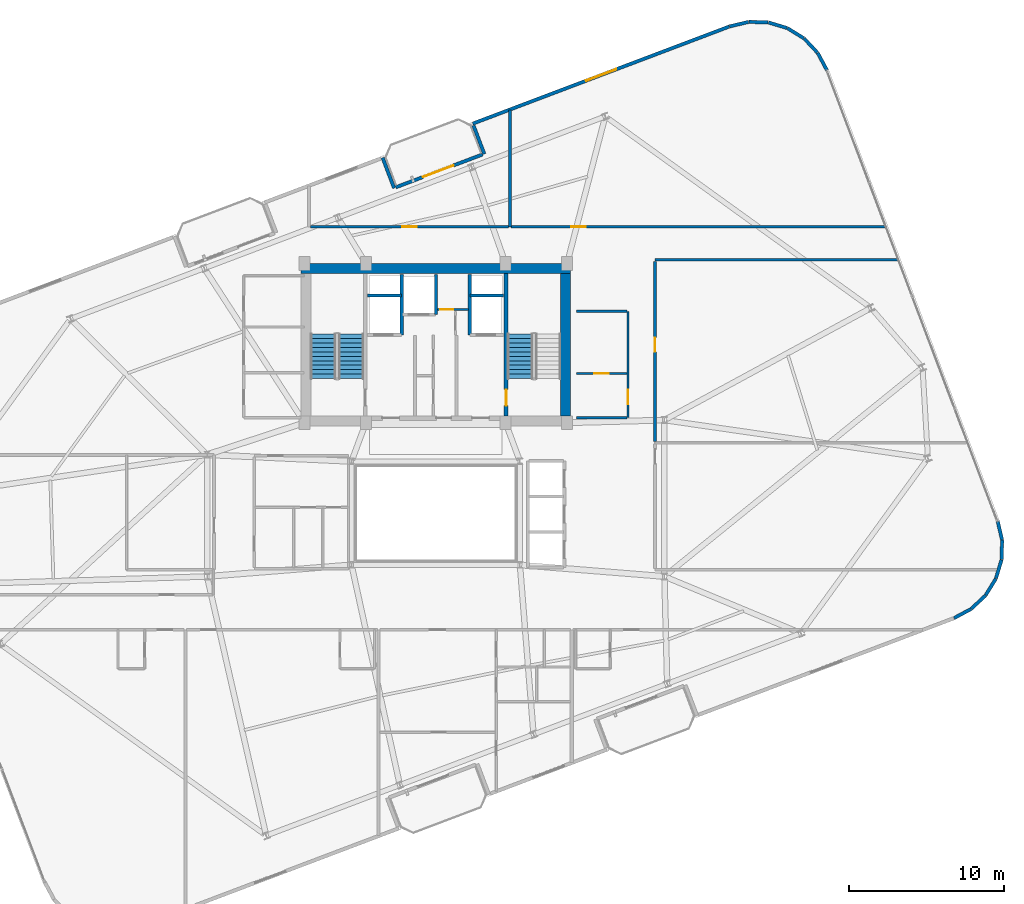
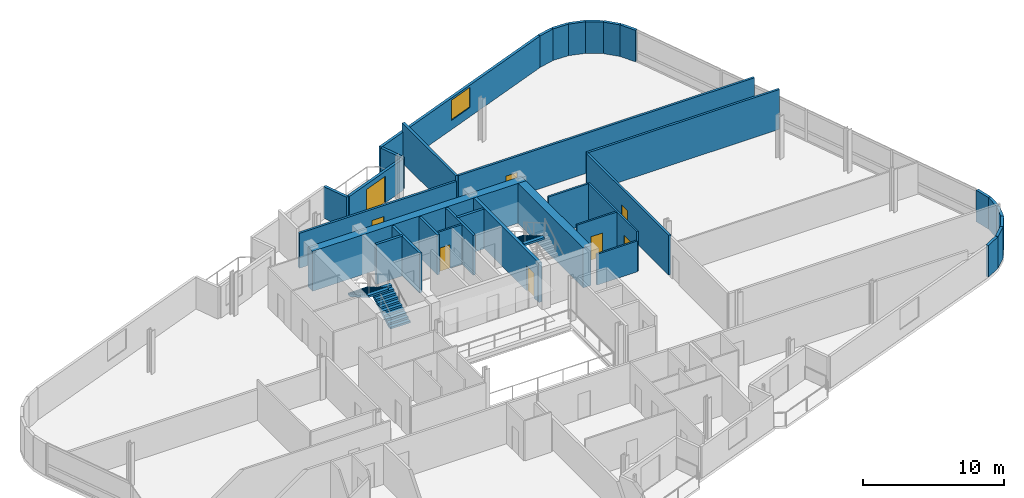
# One storey, part 17 of 20: 34 walls, 8 doors, 3 stair flights, 1 window, 9 openings, 2 elements without a shape of their own.
"""IFC4 building model written with IfcOpenShell, lengths in metres."""

import ifcopenshell
import ifcopenshell.guid

model = None  # the IFC model being written
_history = None  # IfcOwnerHistory: only IFC2X3 demands one
_inside = {}  # id of a spatial element -> (the spatial element, [elements in it])
_under = {}  # id of a project, library or spatial element -> (it, [spatial elements below it])
_declared = {}  # id of a project -> (the project, [libraries it declares])
_typed = {}  # id of a type object -> (the type object, [elements of that type])
_made_of = {}  # id of a material, layer set ... -> (it, [elements and type objects made of it])


def new_model(schema):
    """Start an empty IFC model of exactly this schema.

    Asked for "IFC4X3", IfcOpenShell would pick the latest addendum, in which some entities
    have other attributes; the version numbers below select the first issue.
    IFC2X3 requires an IfcOwnerHistory on every rooted entity: one is made here for all.
    """
    global model, _history
    if schema == "IFC4X3":
        model = ifcopenshell.file(schema_version=(4, 3, 0, 0))
    else:
        model = ifcopenshell.file(schema=schema)
    _inside.clear()
    _under.clear()
    _declared.clear()
    _typed.clear()
    _made_of.clear()
    _history = None
    if model.schema == "IFC2X3":
        org = make("IfcOrganization", Name="unknown")
        user = make(
            "IfcPersonAndOrganization",
            ThePerson=make("IfcPerson", FamilyName="unknown"),
            TheOrganization=org,
        )
        app = make(
            "IfcApplication",
            ApplicationDeveloper=org,
            Version="unknown",
            ApplicationFullName="unknown",
            ApplicationIdentifier="unknown",
        )
        _history = make(
            "IfcOwnerHistory",
            OwningUser=user,
            OwningApplication=app,
            ChangeAction="ADDED",
            CreationDate=0,
        )
    return model


def make(cls, **values):
    """One entity of the class cls with the attributes given. An attribute that is None is left unset."""
    return model.create_entity(
        cls, **{name: value for name, value in values.items() if value is not None}
    )


def rooted(cls, **values):
    """An entity with a GlobalId (a new one), such as an element, a storey or a relation."""
    return make(cls, GlobalId=ifcopenshell.guid.new(), OwnerHistory=_history, **values)


def si_unit(unit_type, name, prefix=None):
    """IfcSIUnit, for example si_unit("LENGTHUNIT", "METRE", prefix="MILLI")."""
    return make("IfcSIUnit", UnitType=unit_type, Prefix=prefix, Name=name)


def assignment(units):
    """IfcUnitAssignment: the units of a project."""
    return None if units is None else make("IfcUnitAssignment", Units=units)


def point(xyz):
    """IfcCartesianPoint."""
    return None if xyz is None else make("IfcCartesianPoint", Coordinates=xyz)


def direction(xyz):
    """IfcDirection."""
    return None if xyz is None else make("IfcDirection", DirectionRatios=xyz)


def frame(location, z_axis=None, x_axis=None):
    """IfcAxis2Placement3D, a coordinate frame: its origin and axes. An axis left out is left unset."""
    return make(
        "IfcAxis2Placement3D",
        Location=point(location),
        Axis=direction(z_axis),
        RefDirection=direction(x_axis),
    )


def frame_2d(location, x_axis=None):
    """IfcAxis2Placement2D, a coordinate frame in the plane: its origin and x axis."""
    return make(
        "IfcAxis2Placement2D", Location=point(location), RefDirection=direction(x_axis)
    )


def origin():
    """The frame at (0, 0, 0) with its axes left unset."""
    return frame((0.0, 0.0, 0.0))


def place(relative_to, where):
    """IfcLocalPlacement: puts the frame where relative to a parent placement (None: the world)."""
    return make(
        "IfcLocalPlacement", PlacementRelTo=relative_to, RelativePlacement=where
    )


def context(
    kind, dimensions, precision=None, world=None, true_north=None, identifier=None
):
    """IfcGeometricRepresentationContext, for example the 3D "Model" context."""
    return make(
        "IfcGeometricRepresentationContext",
        ContextIdentifier=identifier,
        ContextType=kind,
        CoordinateSpaceDimension=dimensions,
        Precision=precision,
        WorldCoordinateSystem=world,
        TrueNorth=true_north,
    )


def subcontext(parent, identifier, kind, view, scale=None):
    """IfcGeometricRepresentationSubContext, for example "Body" below "Model"."""
    return make(
        "IfcGeometricRepresentationSubContext",
        ContextIdentifier=identifier,
        ContextType=kind,
        ParentContext=parent,
        TargetScale=scale,
        TargetView=view,
    )


def project(units=None, contexts=None):
    """IfcProject with its units and contexts."""
    return rooted(
        "IfcProject",
        Name="project",
        RepresentationContexts=contexts,
        UnitsInContext=assignment(units),
    )


def spatial(cls, under=None, at=None, **own):
    """A site, building, storey or space (cls), placed at a placement, below another one or the project."""
    s = rooted(cls, ObjectPlacement=at, **own)
    if under is not None:
        _under.setdefault(under.id(), (under, []))[1].append(s)
    return s


def polyline(points):
    """IfcPolyline through the points."""
    return make("IfcPolyline", Points=[point(p) for p in points])


def profile(cls, at=None, kind="AREA", **sizes):
    """A parametric profile (cls). Its sizes go by their IFC names, for example OverallWidth=200.0."""
    return make(cls, ProfileType=kind, Position=at, **sizes)


def rectangle(**sizes):
    """IfcRectangleProfileDef."""
    return profile("IfcRectangleProfileDef", **sizes)


def outline(outer, holes=None, kind="AREA"):
    """IfcArbitraryClosedProfileDef: a profile drawn as a closed curve; with holes, ...WithVoids."""
    if holes is None:
        return make("IfcArbitraryClosedProfileDef", ProfileType=kind, OuterCurve=outer)
    return make(
        "IfcArbitraryProfileDefWithVoids",
        ProfileType=kind,
        OuterCurve=outer,
        InnerCurves=holes,
    )


def extrude(swept, where, along, depth):
    """IfcExtrudedAreaSolid: the profile swept, set in the frame where, extruded along a direction by depth."""
    return make(
        "IfcExtrudedAreaSolid",
        SweptArea=swept,
        Position=where,
        ExtrudedDirection=direction(along),
        Depth=depth,
    )


def shape(context_of_items, identifier, shape_type, items):
    """IfcShapeRepresentation: the items that make up one representation, for example the "Body"."""
    return make(
        "IfcShapeRepresentation",
        ContextOfItems=context_of_items,
        RepresentationIdentifier=identifier,
        RepresentationType=shape_type,
        Items=items,
    )


def material(Name=None, Category=None):
    """IfcMaterial."""
    return make("IfcMaterial", Name=Name, Category=Category)


def layer(
    of_material, thickness, ventilated=None, Name=None, Category=None, Priority=None
):
    """IfcMaterialLayer: one layer of a wall or slab, of a material (None: an air gap)."""
    return make(
        "IfcMaterialLayer",
        Material=of_material,
        LayerThickness=thickness,
        IsVentilated=ventilated,
        Name=Name,
        Category=Category,
        Priority=Priority,
    )


def layer_set(layers, Name=None):
    """IfcMaterialLayerSet."""
    return make("IfcMaterialLayerSet", MaterialLayers=layers, LayerSetName=Name)


def made_of(thing, what):
    """Note that an element or type object is made of a material, layer set ...; save() writes the relation."""
    if what is not None:
        _made_of.setdefault(what.id(), (what, []))[1].append(thing)
    return thing


def type_object(cls, material=None, **own):
    """A type object (cls), such as IfcWallType, which elements share."""
    return made_of(rooted(cls, **own), material)


def element(
    cls,
    number,
    at=None,
    inside=None,
    cuts=None,
    type_object=None,
    material=None,
    context=None,
    identifier="Body",
    shape_type=None,
    held_by="IfcProductDefinitionShape",
    body=None,
    shapes=None,
    **own,
):
    """One element of the class cls, such as IfcWall. Its Tag is "e" and its number.

    at: its placement. inside: the storey or other place that contains it. cuts: it is an
    opening in that element (IfcRelVoidsElement). A single representation is given by context,
    identifier, shape_type and body (its items); several are given by shapes. held_by: the class
    of the entity that holds the representations. save() writes the other relations.
    """
    e = rooted(cls, Tag="e%d" % number, ObjectPlacement=at, **own)
    if body is not None:
        shapes = [shape(context, identifier, shape_type, body)]
    if shapes is not None:
        e.Representation = make(held_by, Representations=shapes)
    if inside is not None:
        _inside.setdefault(inside.id(), (inside, []))[1].append(e)
    if cuts is not None:
        rooted(
            "IfcRelVoidsElement", RelatingBuildingElement=cuts, RelatedOpeningElement=e
        )
    if type_object is not None:
        _typed.setdefault(type_object.id(), (type_object, []))[1].append(e)
    return made_of(e, material)


def fill(opening, filler):
    """IfcRelFillsElement: the door or window that sits in an opening."""
    return rooted(
        "IfcRelFillsElement",
        RelatingOpeningElement=opening,
        RelatedBuildingElement=filler,
    )


def aggregate(whole, parts):
    """IfcRelAggregates: a whole, such as a stair, and the parts it consists of."""
    return rooted("IfcRelAggregates", RelatingObject=whole, RelatedObjects=parts)


def save(model, path):
    """Write the relations noted so far, then the file.

    IfcRelAggregates (storeys below a building ...), IfcRelContainedInSpatialStructure (elements
    in a storey), IfcRelDefinesByType, IfcRelAssociatesMaterial and IfcRelDeclares: one each for
    every whole, place, type object, material and project.
    """
    for whole, parts in _under.values():
        aggregate(whole, parts)
    for where, things in _inside.values():
        rooted(
            "IfcRelContainedInSpatialStructure",
            RelatedElements=things,
            RelatingStructure=where,
        )
    for kind, things in _typed.values():
        rooted("IfcRelDefinesByType", RelatedObjects=things, RelatingType=kind)
    for what, things in _made_of.values():
        rooted("IfcRelAssociatesMaterial", RelatedObjects=things, RelatingMaterial=what)
    for by, libraries in _declared.values():
        rooted("IfcRelDeclares", RelatingContext=by, RelatedDefinitions=libraries)
    model.write(path)


model = new_model("IFC4")

# Units and contexts
model_context = context("Model", 3, precision=1e-05, world=origin(), true_north=direction((0.0, 1.0)))
body_context = subcontext(model_context, "Body", "Model", "MODEL_VIEW")
ifc_project = project(units=[si_unit("LENGTHUNIT", "METRE"), si_unit("AREAUNIT", "SQUARE_METRE"), si_unit("VOLUMEUNIT", "CUBIC_METRE"), si_unit("PLANEANGLEUNIT", "RADIAN"), si_unit("MASSUNIT", "GRAM", prefix="KILO")], contexts=[model_context])

# Site, building, storey
site_placement = place(None, origin())
site = spatial("IfcSite", under=ifc_project, at=site_placement, CompositionType="ELEMENT")
building_placement = place(site_placement, origin())
building = spatial("IfcBuilding", under=site, at=building_placement, Name="Varnelok Gate Tower", CompositionType="ELEMENT")
storey_placement = place(building_placement, frame((0.0, 0.0, 223.800048828125)))
storey = spatial("IfcBuildingStorey", under=building, at=storey_placement, Name="L57", CompositionType="ELEMENT", Elevation=223.800048828125)

# Wall, opening, door
ifc_material_1 = material(Name="Concrete C45/55", Category="concrete")
ifc_layer_1 = layer(ifc_material_1, 0.219970703125)
ifc_layer_set_1 = layer_set([ifc_layer_1], Name="Concrete C45/55")
wall_type_1 = type_object("IfcWallType", Name="EW-BALC-220", PredefinedType="SOLIDWALL", material=ifc_layer_set_1)
wall_1_placement = place(storey_placement, frame((36.61669921875, 43.98583984375, 0.0), z_axis=(0.0, 0.0, 1.0), x_axis=(0.935227640088, 0.354046976001, 0.0)))
wall_1 = element("IfcWall", 1, at=wall_1_placement, inside=storey, type_object=wall_type_1, Name="L57 North Terrace Envelope Wall 4", PredefinedType="SOLIDWALL", context=body_context, shape_type="SweptSolid", body=[
    extrude(rectangle(XDim=6.0, YDim=0.219970703125, at=frame_2d((3.0, 0.0))), origin(), (0.0, 0.0, 1.0), 2.72998046875),
])
opening_1_placement = place(wall_1_placement, frame((1.887939453125, 0.0, 0.0)))
opening_1 = element("IfcOpeningElement", 2, at=opening_1_placement, cuts=wall_1, Name="Opening BD-2", PredefinedType="OPENING", context=body_context, shape_type="SweptSolid", body=[
    extrude(rectangle(XDim=2.10009765625, YDim=2.300048828125, at=frame_2d((1.050048828125, 1.14990234375))), frame((0.0, 0.119873046875, 0.0), z_axis=(0.0, -1.0, 0.0), x_axis=(1.0, 0.0, 0.0)), (0.0, 0.0, 1.0), 0.239990234375),
])
ifc_material_2 = material(Name="Anodized Aluminum Alloy 6063-T6", Category="aluminium")
door_type_1 = type_object("IfcDoorType", Name="DR-EXT-SLID2100", OperationType="SLIDING_TO_LEFT", PredefinedType="DOOR", material=ifc_material_2)
door_1_placement = place(opening_1_placement, origin())
door_1 = element("IfcDoor", 3, at=door_1_placement, inside=storey, type_object=door_type_1, Name="L57 North Balcony Glazed Door 4", OperationType="SLIDING_TO_LEFT", OverallHeight=2.300048828125, OverallWidth=2.10009765625, PredefinedType="DOOR", context=body_context, shape_type="SweptSolid", body=[
    extrude(rectangle(XDim=2.10009765625, YDim=2.300048828125, at=frame_2d((1.050048828125, 1.14990234375))), frame((0.0, 0.02490234375, 0.0), z_axis=(0.0, -1.0, 0.0), x_axis=(1.0, 0.0, 0.0)), (0.0, 0.0, 1.0), 0.050048828125),
])
fill(opening_1, door_1)

# Walls
wall_2_placement = place(storey_placement, frame((72.74560546875, 16.10498046875, 0.0), z_axis=(0.0, 0.0, 1.0), x_axis=(0.881112879796, 0.472906008693, 0.0)))
element("IfcWall", 4, at=wall_2_placement, inside=storey, type_object=wall_type_1, Name="L57 Perimeter Facade Closure Wall 14", PredefinedType="SOLIDWALL", context=body_context, shape_type="SweptSolid", body=[
    extrude(rectangle(XDim=1.256591796875, YDim=0.219970703125, at=frame_2d((0.62841796875, 0.0))), origin(), (0.0, 0.0, 1.0), 2.72998046875),
])
wall_3_placement = place(storey_placement, frame((73.870849609375, 16.716552734375, 0.0), z_axis=(0.0, 0.0, 1.0), x_axis=(0.728475443486, 0.685071914647, 0.0)))
element("IfcWall", 5, at=wall_3_placement, inside=storey, type_object=wall_type_1, Name="L57 Perimeter Facade Closure Wall 15", PredefinedType="SOLIDWALL", context=body_context, shape_type="SweptSolid", body=[
    extrude(rectangle(XDim=1.248779296875, YDim=0.219970703125, at=frame_2d((0.62451171875, 0.0))), origin(), (0.0, 0.0, 1.0), 2.72998046875),
])
for number, where, z_axis, x_axis, name in (
    (6, (74.793701171875, 17.59326171875, 0.0), (0.0, 0.0, 1.0), (0.526549805576, 0.850144283194, 0.0), "L57 Perimeter Facade Closure Wall 16"),
    (7, (75.458251953125, 18.6787109375, 0.0), (0.0, 0.0, 1.0), (0.288406081086, 0.957508189204, 0.0), "L57 Perimeter Facade Closure Wall 17"),
):
    element("IfcWall", number, at=place(storey_placement, frame(where, z_axis=z_axis, x_axis=x_axis)), inside=storey, type_object=wall_type_1, Name=name, PredefinedType="SOLIDWALL", context=body_context, shape_type="SweptSolid", body=[
        extrude(rectangle(XDim=1.24853515625, YDim=0.219970703125, at=frame_2d((0.624267578125, 0.0))), origin(), (0.0, 0.0, 1.0), 2.72998046875),
    ])
wall_4_placement = place(storey_placement, frame((75.819091796875, 19.8994140625, 0.0), z_axis=(0.0, 0.0, 1.0), x_axis=(0.030898954628, 0.999522513305, 0.0)))
element("IfcWall", 8, at=wall_4_placement, inside=storey, type_object=wall_type_1, Name="L57 Perimeter Facade Closure Wall 18", PredefinedType="SOLIDWALL", context=body_context, shape_type="SweptSolid", body=[
    extrude(rectangle(XDim=1.248291015625, YDim=0.219970703125, at=frame_2d((0.6240234375, 0.0))), origin(), (0.0, 0.0, 1.0), 2.72998046875),
])
wall_5_placement = place(storey_placement, frame((75.851806640625, 21.171630859375, 0.0), z_axis=(0.0, 0.0, 1.0), x_axis=(-0.228941257463, 0.973440239887, 0.0)))
element("IfcWall", 9, at=wall_5_placement, inside=storey, type_object=wall_type_1, Name="L57 Perimeter Facade Closure Wall 19", PredefinedType="SOLIDWALL", context=body_context, shape_type="SweptSolid", body=[
    extrude(rectangle(XDim=1.248779296875, YDim=0.219970703125, at=frame_2d((0.62451171875, 0.0))), origin(), (0.0, 0.0, 1.0), 2.72998046875),
])
wall_6_placement = place(storey_placement, frame((64.519287109375, 51.566162109375, 0.0), z_axis=(0.0, 0.0, 1.0), x_axis=(-0.473093575122, 0.881012184466, 0.0)))
element("IfcWall", 10, at=wall_6_placement, inside=storey, type_object=wall_type_1, Name="L57 Perimeter Facade Closure Wall 20", PredefinedType="SOLIDWALL", context=body_context, shape_type="SweptSolid", body=[
    extrude(rectangle(XDim=1.273681640625, YDim=0.219970703125, at=frame_2d((0.63671875, 0.0))), origin(), (0.0, 0.0, 1.0), 2.72998046875),
])
for number, where, z_axis, x_axis, name in (
    (11, (63.8994140625, 52.706298828125, 0.0), (0.0, 0.0, 1.0), (-0.684870565369, 0.728664743686, 0.0), "L57 Perimeter Facade Closure Wall 21"),
    (12, (63.02294921875, 53.629150390625, 0.0), (0.0, 0.0, 1.0), (-0.850198480006, 0.526462291712, 0.0), "L57 Perimeter Facade Closure Wall 22"),
):
    element("IfcWall", number, at=place(storey_placement, frame(where, z_axis=z_axis, x_axis=x_axis)), inside=storey, type_object=wall_type_1, Name=name, PredefinedType="SOLIDWALL", context=body_context, shape_type="SweptSolid", body=[
        extrude(rectangle(XDim=1.248779296875, YDim=0.219970703125, at=frame_2d((0.62451171875, 0.0))), origin(), (0.0, 0.0, 1.0), 2.72998046875),
    ])
for number, where, z_axis, x_axis, name in (
    (13, (61.937255859375, 54.293701171875, 0.0), (0.0, 0.0, 1.0), (-0.957508189204, 0.288406081086, 0.0), "L57 Perimeter Facade Closure Wall 23"),
    (14, (60.716796875, 54.65478515625, 0.0), (0.0, 0.0, 1.0), (-0.999528718359, 0.030697576053, 0.0), "L57 Perimeter Facade Closure Wall 24"),
):
    element("IfcWall", number, at=place(storey_placement, frame(where, z_axis=z_axis, x_axis=x_axis)), inside=storey, type_object=wall_type_1, Name=name, PredefinedType="SOLIDWALL", context=body_context, shape_type="SweptSolid", body=[
        extrude(rectangle(XDim=1.24853515625, YDim=0.219970703125, at=frame_2d((0.624267578125, 0.0))), origin(), (0.0, 0.0, 1.0), 2.72998046875),
    ])
wall_7_placement = place(storey_placement, frame((59.4443359375, 54.6875, 0.0), z_axis=(0.0, 0.0, 1.0), x_axis=(-0.973409523464, -0.229071821989, 0.0)))
element("IfcWall", 15, at=wall_7_placement, inside=storey, type_object=wall_type_1, Name="L57 Perimeter Facade Closure Wall 25", PredefinedType="SOLIDWALL", context=body_context, shape_type="SweptSolid", body=[
    extrude(rectangle(XDim=1.256591796875, YDim=0.219970703125, at=frame_2d((0.62841796875, 0.0))), origin(), (0.0, 0.0, 1.0), 2.72998046875),
])

# Wall, opening, window
wall_8_placement = place(storey_placement, frame((58.19775390625, 54.390869140625, 0.0), z_axis=(0.0, 0.0, 1.0), x_axis=(-0.935223849772, -0.354056988094, 0.0)))
wall_8 = element("IfcWall", 16, at=wall_8_placement, inside=storey, type_object=wall_type_1, Name="L57 Perimeter Facade Closure Wall 26", PredefinedType="SOLIDWALL", context=body_context, shape_type="SweptSolid", body=[
    extrude(rectangle(XDim=17.7470703125, YDim=0.219970703125, at=frame_2d((8.87353515625, 0.0))), origin(), (0.0, 0.0, 1.0), 2.72998046875),
])
opening_2_placement = place(wall_8_placement, frame((7.823486328125, 0.0, 0.800048828125)))
opening_2 = element("IfcOpeningElement", 17, at=opening_2_placement, cuts=wall_8, Name="Opening WN4", PredefinedType="OPENING", context=body_context, shape_type="SweptSolid", body=[
    extrude(rectangle(XDim=2.10009765625, YDim=1.75, at=frame_2d((1.050048828125, 0.875))), frame((0.0, 0.119873046875, 0.0), z_axis=(0.0, -1.0, 0.0), x_axis=(1.0, 0.0, 0.0)), (0.0, 0.0, 1.0), 0.239990234375),
])
ifc_material_3 = material(Name="Low-E Laminated Double Glazing IGU", Category="glass")
window_type = type_object("IfcWindowType", Name="WN-SUI-2100", PartitioningType="SINGLE_PANEL", PredefinedType="WINDOW", material=ifc_material_3)
window_placement = place(opening_2_placement, origin())
window = element("IfcWindow", 18, at=window_placement, inside=storey, type_object=window_type, Name="L57 Perimeter Vision Window 26", OverallHeight=1.75, OverallWidth=2.10009765625, PartitioningType="SINGLE_PANEL", PredefinedType="WINDOW", context=body_context, shape_type="SweptSolid", body=[
    extrude(rectangle(XDim=2.10009765625, YDim=1.75, at=frame_2d((1.050048828125, 0.875))), frame((0.0, 0.030029296875, 0.0), z_axis=(0.0, -1.0, 0.0), x_axis=(1.0, 0.0, 0.0)), (0.0, 0.0, 1.0), 0.06005859375),
])
fill(opening_2, window)

# Walls
wall_9_placement = place(storey_placement, frame((41.64453125, 47.990478515625, 0.0), z_axis=(0.0, 0.0, 1.0), x_axis=(0.354020680661, -0.935237594232, 0.0)))
element("IfcWall", 19, at=wall_9_placement, inside=storey, type_object=wall_type_1, Name="L57 Perimeter Facade Closure Wall 27", PredefinedType="SOLIDWALL", context=body_context, shape_type="SweptSolid", body=[
    extrude(rectangle(XDim=1.97509765625, YDim=0.219970703125, at=frame_2d((0.987548828125, 0.0))), origin(), (0.0, 0.0, 1.0), 2.72998046875),
])
wall_10_placement = place(storey_placement, frame((36.508056640625, 43.93408203125, 0.0), z_axis=(0.0, 0.0, 1.0), x_axis=(-0.354128469405, 0.935196785258, 0.0)))
element("IfcWall", 20, at=wall_10_placement, inside=storey, type_object=wall_type_1, Name="L57 Perimeter Facade Closure Wall 28", PredefinedType="SOLIDWALL", context=body_context, shape_type="SweptSolid", body=[
    extrude(rectangle(XDim=2.099853515625, YDim=0.219970703125, at=frame_2d((1.0498046875, 0.0))), origin(), (0.0, 0.0, 1.0), 2.72998046875),
])

# Wall, opening, door
ifc_material_4 = material(Name="Gypsum Plasterboard Acoustic Partition", Category="gypsum")
ifc_layer_2 = layer(ifc_material_4, 0.179931640625)
ifc_layer_set_2 = layer_set([ifc_layer_2], Name="Gypsum Plasterboard Acoustic Partition")
wall_type_2 = type_object("IfcWallType", Name="PW-CORR-180", PredefinedType="PARTITIONING", material=ifc_layer_set_2)
wall_11_placement = place(storey_placement, frame((31.080078125, 41.429931640625, 0.0), z_axis=(0.0, 0.0, 1.0), x_axis=(1.0, 0.0, 0.0)))
wall_11 = element("IfcWall", 21, at=wall_11_placement, inside=storey, type_object=wall_type_2, Name="Interior Partition", PredefinedType="PARTITIONING", context=body_context, shape_type="SweptSolid", body=[
    extrude(rectangle(XDim=12.83984375, YDim=0.179931640625, at=frame_2d((6.419921875, 0.0))), origin(), (0.0, 0.0, 1.0), 3.01806640625),
])
opening_3_placement = place(wall_11_placement, frame((5.945068359375, 0.0, 0.0)))
opening_3 = element("IfcOpeningElement", 22, at=opening_3_placement, cuts=wall_11, Name="Opening D-I2", PredefinedType="OPENING", context=body_context, shape_type="SweptSolid", body=[
    extrude(rectangle(XDim=0.949951171875, YDim=2.050048828125, at=frame_2d((0.47509765625, 1.02490234375))), frame((0.0, 0.099853515625, 0.0), z_axis=(0.0, -1.0, 0.0), x_axis=(1.0, 0.0, 0.0)), (0.0, 0.0, 1.0), 0.199951171875),
])
ifc_material_5 = material(Name="Engineered Hardwood Timber", Category="wood")
door_type_2 = type_object("IfcDoorType", Name="DR-INT-950", OperationType="NOTDEFINED", PredefinedType="DOOR", material=ifc_material_5)
door_2_placement = place(opening_3_placement, origin())
door_2 = element("IfcDoor", 23, at=door_2_placement, inside=storey, type_object=door_type_2, Name="L57 Executive Business Office 2 Door", OperationType="SINGLE_SWING_LEFT", OverallHeight=2.050048828125, OverallWidth=0.949951171875, PredefinedType="DOOR", context=body_context, shape_type="SweptSolid", body=[
    extrude(rectangle(XDim=0.949951171875, YDim=2.050048828125, at=frame_2d((0.47509765625, 1.02490234375))), frame((0.0, 0.02490234375, 0.0), z_axis=(0.0, -1.0, 0.0), x_axis=(1.0, 0.0, 0.0)), (0.0, 0.0, 1.0), 0.050048828125),
])
fill(opening_3, door_2)

wall_12_placement = place(storey_placement, frame((44.080078125, 41.429931640625, 0.0), z_axis=(0.0, 0.0, 1.0), x_axis=(1.0, 0.0, 0.0)))
wall_12 = element("IfcWall", 24, at=wall_12_placement, inside=storey, type_object=wall_type_2, Name="Interior Partition", PredefinedType="PARTITIONING", context=body_context, shape_type="SweptSolid", body=[
    extrude(rectangle(XDim=24.21630859375, YDim=0.179931640625, at=frame_2d((12.108154296875, 0.0))), origin(), (0.0, 0.0, 1.0), 3.449951171875),
])
opening_4_placement = place(wall_12_placement, frame((3.89501953125, 0.0, 0.0)))
opening_4 = element("IfcOpeningElement", 25, at=opening_4_placement, cuts=wall_12, Name="Opening D-I2", PredefinedType="OPENING", context=body_context, shape_type="SweptSolid", body=[
    extrude(rectangle(XDim=0.949951171875, YDim=2.050048828125, at=frame_2d((0.47509765625, 1.02490234375))), frame((0.0, 0.099853515625, 0.0), z_axis=(0.0, -1.0, 0.0), x_axis=(1.0, 0.0, 0.0)), (0.0, 0.0, 1.0), 0.199951171875),
])
door_3_placement = place(opening_4_placement, origin())
door_3 = element("IfcDoor", 26, at=door_3_placement, inside=storey, type_object=door_type_2, Name="L57 Hotel Business Center Door", OperationType="SINGLE_SWING_LEFT", OverallHeight=2.050048828125, OverallWidth=0.949951171875, PredefinedType="DOOR", context=body_context, shape_type="SweptSolid", body=[
    extrude(rectangle(XDim=0.949951171875, YDim=2.050048828125, at=frame_2d((0.47509765625, 1.02490234375))), frame((0.0, 0.02490234375, 0.0), z_axis=(0.0, -1.0, 0.0), x_axis=(1.0, 0.0, 0.0)), (0.0, 0.0, 1.0), 0.050048828125),
])
fill(opening_4, door_3)

wall_13_placement = place(storey_placement, frame((53.389892578125, 27.530029296875, 0.0), z_axis=(0.0, 0.0, 1.0), x_axis=(0.0, 1.0, 0.0)))
wall_13 = element("IfcWall", 27, at=wall_13_placement, inside=storey, type_object=wall_type_2, Name="Interior Partition", PredefinedType="PARTITIONING", context=body_context, shape_type="SweptSolid", body=[
    extrude(rectangle(XDim=11.669921875, YDim=0.179931640625, at=frame_2d((5.8349609375, 0.0))), origin(), (0.0, 0.0, 1.0), 3.449951171875),
])
opening_5_placement = place(wall_13_placement, frame((5.800048828125, 0.0, 0.0)))
opening_5 = element("IfcOpeningElement", 28, at=opening_5_placement, cuts=wall_13, Name="Opening D-I3", PredefinedType="OPENING", context=body_context, shape_type="SweptSolid", body=[
    extrude(rectangle(XDim=0.919921875, YDim=2.050048828125, at=frame_2d((0.4599609375, 1.02490234375))), frame((0.0, 0.099853515625, 0.0), z_axis=(0.0, -1.0, 0.0), x_axis=(1.0, 0.0, 0.0)), (0.0, 0.0, 1.0), 0.199951171875),
])
door_type_3 = type_object("IfcDoorType", Name="DR-INT-920", OperationType="NOTDEFINED", PredefinedType="DOOR", material=ifc_material_5)
door_4_placement = place(opening_5_placement, origin())
door_4 = element("IfcDoor", 29, at=door_4_placement, inside=storey, type_object=door_type_3, Name="L57 East Suite 2 Door", OperationType="SINGLE_SWING_RIGHT", OverallHeight=2.050048828125, OverallWidth=0.919921875, PredefinedType="DOOR", context=body_context, shape_type="SweptSolid", body=[
    extrude(rectangle(XDim=0.919921875, YDim=2.050048828125, at=frame_2d((0.4599609375, 1.02490234375))), frame((0.0, 0.02490234375, 0.0), z_axis=(0.0, -1.0, 0.0), x_axis=(1.0, 0.0, 0.0)), (0.0, 0.0, 1.0), 0.050048828125),
])
fill(opening_5, door_4)

# Wall
wall_14_placement = place(storey_placement, frame((53.389892578125, 39.300048828125, 0.0), z_axis=(0.0, 0.0, 1.0), x_axis=(1.0, 0.0, 0.0)))
element("IfcWall", 30, at=wall_14_placement, inside=storey, type_object=wall_type_2, Name="Interior Partition", PredefinedType="PARTITIONING", context=body_context, shape_type="SweptSolid", body=[
    extrude(rectangle(XDim=15.712890625, YDim=0.179931640625, at=frame_2d((7.8564453125, 0.0))), origin(), (0.0, 0.0, 1.0), 3.449951171875),
])

# Wall, opening, door
ifc_layer_3 = layer(ifc_material_4, 0.14990234375)
ifc_layer_set_3 = layer_set([ifc_layer_3], Name="Gypsum Plasterboard Acoustic Partition")
wall_type_3 = type_object("IfcWallType", Name="PW-PART-150", PredefinedType="PARTITIONING", material=ifc_layer_set_3)
wall_15_placement = place(storey_placement, frame((39.300048828125, 36.080078125, 0.0), z_axis=(0.0, 0.0, 1.0), x_axis=(1.0, 0.0, 0.0)))
wall_15 = element("IfcWall", 31, at=wall_15_placement, inside=storey, type_object=wall_type_3, Name="L57 Electrical Closet South Wall", PredefinedType="PARTITIONING", context=body_context, shape_type="SweptSolid", body=[
    extrude(rectangle(XDim=2.02001953125, YDim=0.14990234375, at=frame_2d((1.010009765625, 0.0))), origin(), (0.0, 0.0, 1.0), 3.449951171875),
])
opening_6_placement = place(wall_15_placement, frame((0.179931640625, 0.0, 0.0)))
opening_6 = element("IfcOpeningElement", 32, at=opening_6_placement, cuts=wall_15, Name="Opening D-RS", PredefinedType="OPENING", context=body_context, shape_type="SweptSolid", body=[
    extrude(rectangle(XDim=0.85009765625, YDim=2.050048828125, at=frame_2d((0.425048828125, 1.02490234375))), frame((0.0, 0.0849609375, 0.0), z_axis=(0.0, -1.0, 0.0), x_axis=(1.0, 0.0, 0.0)), (0.0, 0.0, 1.0), 0.169921875),
])
ifc_material_6 = material(Name="Galvanized Steel Grade S350GD", Category="steel")
door_type_4 = type_object("IfcDoorType", Name="DR-RISER-850", OperationType="NOTDEFINED", PredefinedType="DOOR", material=ifc_material_6)
door_5_placement = place(opening_6_placement, origin())
door_5 = element("IfcDoor", 33, at=door_5_placement, inside=storey, type_object=door_type_4, Name="L57 Electrical Closet Door", OperationType="SINGLE_SWING_RIGHT", OverallHeight=2.050048828125, OverallWidth=0.85009765625, PredefinedType="DOOR", context=body_context, shape_type="SweptSolid", body=[
    extrude(rectangle(XDim=0.85009765625, YDim=2.050048828125, at=frame_2d((0.425048828125, 1.02490234375))), frame((0.0, 0.02490234375, 0.0), z_axis=(0.0, -1.0, 0.0), x_axis=(1.0, 0.0, 0.0)), (0.0, 0.0, 1.0), 0.050048828125),
])
fill(opening_6, door_5)

wall_16_placement = place(storey_placement, frame((48.300048828125, 31.929931640625, 0.0), z_axis=(0.0, 0.0, 1.0), x_axis=(1.0, 0.0, 0.0)))
wall_16 = element("IfcWall", 34, at=wall_16_placement, inside=storey, type_object=wall_type_3, Name="Interior Partition", PredefinedType="PARTITIONING", context=body_context, shape_type="SweptSolid", body=[
    extrude(rectangle(XDim=3.280029296875, YDim=0.14990234375, at=frame_2d((1.64013671875, 0.0))), origin(), (0.0, 0.0, 1.0), 3.449951171875),
])
opening_7_placement = place(wall_16_placement, frame((1.14990234375, 0.0, 0.0)))
opening_7 = element("IfcOpeningElement", 35, at=opening_7_placement, cuts=wall_16, Name="Opening D-I2", PredefinedType="OPENING", context=body_context, shape_type="SweptSolid", body=[
    extrude(rectangle(XDim=0.949951171875, YDim=2.050048828125, at=frame_2d((0.47509765625, 1.02490234375))), frame((0.0, 0.0849609375, 0.0), z_axis=(0.0, -1.0, 0.0), x_axis=(1.0, 0.0, 0.0)), (0.0, 0.0, 1.0), 0.169921875),
])
door_6_placement = place(opening_7_placement, origin())
door_6 = element("IfcDoor", 36, at=door_6_placement, inside=storey, type_object=door_type_2, Name="L57 Reclaimed Trunk Storage Door", OperationType="SINGLE_SWING_LEFT", OverallHeight=2.050048828125, OverallWidth=0.949951171875, PredefinedType="DOOR", context=body_context, shape_type="SweptSolid", body=[
    extrude(rectangle(XDim=0.949951171875, YDim=2.050048828125, at=frame_2d((0.47509765625, 1.02490234375))), frame((0.0, 0.02490234375, 0.0), z_axis=(0.0, -1.0, 0.0), x_axis=(1.0, 0.0, 0.0)), (0.0, 0.0, 1.0), 0.050048828125),
])
fill(opening_7, door_6)

# Walls
wall_17_placement = place(storey_placement, frame((48.300048828125, 29.080078125, 0.0), z_axis=(0.0, 0.0, 1.0), x_axis=(1.0, 0.0, 0.0)))
element("IfcWall", 37, at=wall_17_placement, inside=storey, type_object=wall_type_3, Name="Interior Partition", PredefinedType="PARTITIONING", context=body_context, shape_type="SweptSolid", body=[
    extrude(rectangle(XDim=3.280029296875, YDim=0.14990234375, at=frame_2d((1.64013671875, 0.0))), origin(), (0.0, 0.0, 1.0), 2.661865234375),
])
wall_18_placement = place(storey_placement, frame((48.300048828125, 35.9599609375, 0.0), z_axis=(0.0, 0.0, 1.0), x_axis=(1.0, 0.0, 0.0)))
element("IfcWall", 38, at=wall_18_placement, inside=storey, type_object=wall_type_3, Name="Interior Partition", PredefinedType="PARTITIONING", context=body_context, shape_type="SweptSolid", body=[
    extrude(rectangle(XDim=3.280029296875, YDim=0.14990234375, at=frame_2d((1.64013671875, 0.0))), origin(), (0.0, 0.0, 1.0), 3.449951171875),
])

# Wall, opening, door
wall_19_placement = place(storey_placement, frame((51.639892578125, 29.080078125, 0.0), z_axis=(0.0, 0.0, 1.0), x_axis=(0.0, 1.0, 0.0)))
wall_19 = element("IfcWall", 39, at=wall_19_placement, inside=storey, type_object=wall_type_3, Name="Interior Partition", PredefinedType="PARTITIONING", context=body_context, shape_type="SweptSolid", body=[
    extrude(rectangle(XDim=6.8798828125, YDim=0.14990234375, at=frame_2d((3.43994140625, 0.0))), origin(), (0.0, 0.0, 1.0), 3.449951171875),
])
opening_8_placement = place(wall_19_placement, frame((0.85009765625, 0.0, 0.0)))
opening_8 = element("IfcOpeningElement", 40, at=opening_8_placement, cuts=wall_19, Name="Opening D-I2", PredefinedType="OPENING", context=body_context, shape_type="SweptSolid", body=[
    extrude(rectangle(XDim=0.949951171875, YDim=2.050048828125, at=frame_2d((0.47509765625, 1.02490234375))), frame((0.0, 0.0849609375, 0.0), z_axis=(0.0, -1.0, 0.0), x_axis=(1.0, 0.0, 0.0)), (0.0, 0.0, 1.0), 0.169921875),
])
door_7_placement = place(opening_8_placement, origin())
door_7 = element("IfcDoor", 41, at=door_7_placement, inside=storey, type_object=door_type_2, Name="L57 Reclaimed Wine Storage Door", OperationType="SINGLE_SWING_RIGHT", OverallHeight=2.050048828125, OverallWidth=0.949951171875, PredefinedType="DOOR", context=body_context, shape_type="SweptSolid", body=[
    extrude(rectangle(XDim=0.949951171875, YDim=2.050048828125, at=frame_2d((0.47509765625, 1.02490234375))), frame((0.0, 0.02490234375, 0.0), z_axis=(0.0, -1.0, 0.0), x_axis=(1.0, 0.0, 0.0)), (0.0, 0.0, 1.0), 0.050048828125),
])
fill(opening_8, door_7)

# Walls
ifc_layer_4 = layer(ifc_material_4, 0.205078125)
ifc_layer_set_4 = layer_set([ifc_layer_4], Name="Gypsum Plasterboard Acoustic Partition")
wall_type_4 = type_object("IfcWallType", Name="PW-PARTY-200", PredefinedType="PARTITIONING", material=ifc_layer_set_4)
wall_20_placement = place(storey_placement, frame((44.0, 41.429931640625, 0.0), z_axis=(0.0, 0.0, 1.0), x_axis=(0.0, 1.0, 0.0)))
element("IfcWall", 42, at=wall_20_placement, inside=storey, type_object=wall_type_4, Name="L57 North Party Wall 2", PredefinedType="PARTITIONING", context=body_context, shape_type="SweptSolid", body=[
    extrude(rectangle(XDim=7.564453125, YDim=0.205078125, at=frame_2d((3.7822265625, 0.0))), origin(), (0.0, 0.0, 1.0), 3.449951171875),
])
ifc_material_7 = material(Name="Concrete C35/45", Category="concrete")
ifc_layer_5 = layer(ifc_material_7, 0.199951171875)
ifc_layer_set_5 = layer_set([ifc_layer_5], Name="Concrete C35/45")
wall_type_5 = type_object("IfcWallType", Name="PW-SHAFT-200", PredefinedType="PARTITIONING", material=ifc_layer_set_5)
wall_21_placement = place(storey_placement, frame((34.800048828125, 36.97998046875, 0.0), z_axis=(0.0, 0.0, 1.0), x_axis=(1.0, 0.0, 0.0)))
element("IfcWall", 43, at=wall_21_placement, inside=storey, type_object=wall_type_5, Name="L57 FF1 Shaft North Wall", PredefinedType="PARTITIONING", context=body_context, shape_type="SweptSolid", body=[
    extrude(rectangle(XDim=2.179931640625, YDim=0.199951171875, at=frame_2d((1.08984375, 0.0))), origin(), (0.0, 0.0, 1.0), 3.449951171875),
])
wall_22_placement = place(storey_placement, frame((37.0, 34.43994140625, 0.0), z_axis=(0.0, 0.0, 1.0), x_axis=(0.0, 1.0, 0.0)))
element("IfcWall", 44, at=wall_22_placement, inside=storey, type_object=wall_type_5, Name="L57 FF1 Shaft Side Wall", PredefinedType="PARTITIONING", context=body_context, shape_type="SweptSolid", body=[
    extrude(rectangle(XDim=3.900146484375, YDim=0.199951171875, at=frame_2d((1.9501953125, 0.0))), origin(), (0.0, 0.0, 1.0), 3.449951171875),
])
wall_23_placement = place(storey_placement, frame((41.419921875, 36.97998046875, 0.0), z_axis=(0.0, 0.0, 1.0), x_axis=(1.0, 0.0, 0.0)))
element("IfcWall", 45, at=wall_23_placement, inside=storey, type_object=wall_type_5, Name="L57 FF2 Shaft North Wall", PredefinedType="PARTITIONING", context=body_context, shape_type="SweptSolid", body=[
    extrude(rectangle(XDim=2.18017578125, YDim=0.199951171875, at=frame_2d((1.090087890625, 0.0))), origin(), (0.0, 0.0, 1.0), 3.449951171875),
])
wall_24_placement = place(storey_placement, frame((41.39990234375, 34.43994140625, 0.0), z_axis=(0.0, 0.0, 1.0), x_axis=(0.0, 1.0, 0.0)))
element("IfcWall", 46, at=wall_24_placement, inside=storey, type_object=wall_type_5, Name="L57 FF2 Shaft Side Wall", PredefinedType="PARTITIONING", context=body_context, shape_type="SweptSolid", body=[
    extrude(rectangle(XDim=3.900146484375, YDim=0.199951171875, at=frame_2d((1.9501953125, 0.0))), origin(), (0.0, 0.0, 1.0), 3.449951171875),
])
wall_25_placement = place(storey_placement, frame((39.219970703125, 35.75, 0.0), z_axis=(0.0, 0.0, 1.0), x_axis=(0.0, 1.0, 0.0)))
element("IfcWall", 47, at=wall_25_placement, inside=storey, type_object=wall_type_5, Name="L57 SV1 Shaft East Wall", PredefinedType="PARTITIONING", context=body_context, shape_type="SweptSolid", body=[
    extrude(rectangle(XDim=2.590087890625, YDim=0.199951171875, at=frame_2d((1.294921875, 0.0))), origin(), (0.0, 0.0, 1.0), 3.449951171875),
])
ifc_material_8 = material(Name="Concrete C60/75", Category="concrete")
ifc_layer_6 = layer(ifc_material_8, 0.64990234375)
ifc_layer_set_6 = layer_set([ifc_layer_6], Name="Concrete C60/75")
wall_type_6 = type_object("IfcWallType", Name="SW-CORE-650", PredefinedType="SHEAR", material=ifc_layer_set_6)
wall_26_placement = place(storey_placement, frame((30.47998046875, 38.7451171875, 0.0), z_axis=(0.0, 0.0, 1.0), x_axis=(1.0, 0.0, 0.0)))
element("IfcWall", 48, at=wall_26_placement, inside=storey, type_object=wall_type_6, Name="L57 Rear Core North Shear Wall", PredefinedType="SHEAR", context=body_context, shape_type="SweptSolid", body=[
    extrude(rectangle(XDim=17.43994140625, YDim=0.64990234375, at=frame_2d((8.719970703125, 0.0))), origin(), (0.0, 0.0, 1.0), 3.449951171875),
])
wall_27_placement = place(storey_placement, frame((47.594970703125, 29.199951171875, 0.0), z_axis=(0.0, 0.0, 1.0), x_axis=(0.0, 1.0, 0.0)))
element("IfcWall", 49, at=wall_27_placement, inside=storey, type_object=wall_type_6, Name="L57 Rear Core East Shear Wall", PredefinedType="SHEAR", context=body_context, shape_type="SweptSolid", body=[
    extrude(rectangle(XDim=9.219970703125, YDim=0.64990234375, at=frame_2d((4.60986328125, 0.0))), origin(), (0.0, 0.0, 1.0), 3.449951171875),
])

# Wall, opening, door
ifc_layer_7 = layer(ifc_material_8, 0.25)
ifc_layer_set_7 = layer_set([ifc_layer_7], Name="Concrete C60/75")
wall_type_7 = type_object("IfcWallType", Name="SW-SHAFT-250", PredefinedType="SHEAR", material=ifc_layer_set_7)
wall_28_placement = place(storey_placement, frame((43.760009765625, 29.199951171875, 0.0), z_axis=(0.0, 0.0, 1.0), x_axis=(0.0, 1.0, 0.0)))
wall_28 = element("IfcWall", 50, at=wall_28_placement, inside=storey, type_object=wall_type_7, Name="L57 Stair ST-2 West Shear Wall", PredefinedType="SHEAR", context=body_context, shape_type="SweptSolid", body=[
    extrude(rectangle(XDim=9.219970703125, YDim=0.25, at=frame_2d((4.60986328125, 0.0))), origin(), (0.0, 0.0, 1.0), 3.449951171875),
])
opening_9_placement = place(wall_28_placement, frame((0.64990234375, 0.0, 0.0)))
opening_9 = element("IfcOpeningElement", 51, at=opening_9_placement, cuts=wall_28, Name="Opening D-ST", PredefinedType="OPENING", context=body_context, shape_type="SweptSolid", body=[
    extrude(rectangle(XDim=1.050048828125, YDim=2.14990234375, at=frame_2d((0.52490234375, 1.074951171875))), frame((0.0, 0.135009765625, 0.0), z_axis=(0.0, -1.0, 0.0), x_axis=(1.0, 0.0, 0.0)), (0.0, 0.0, 1.0), 0.27001953125),
])
door_type_5 = type_object("IfcDoorType", Name="DR-STAIR-1050", OperationType="NOTDEFINED", PredefinedType="DOOR", material=ifc_material_6)
door_8_placement = place(opening_9_placement, origin())
door_8 = element("IfcDoor", 52, at=door_8_placement, inside=storey, type_object=door_type_5, Name="L57 Exit Stair ST-2 Fire Door", OperationType="SINGLE_SWING_RIGHT", OverallHeight=2.14990234375, OverallWidth=1.050048828125, PredefinedType="DOOR", context=body_context, shape_type="SweptSolid", body=[
    extrude(rectangle(XDim=1.050048828125, YDim=2.14990234375, at=frame_2d((0.52490234375, 1.074951171875))), frame((0.0, 0.02490234375, 0.0), z_axis=(0.0, -1.0, 0.0), x_axis=(1.0, 0.0, 0.0)), (0.0, 0.0, 1.0), 0.050048828125),
])
fill(opening_9, door_8)

# Stair, stair flights
ifc_material_9 = material(Name="Concrete C50/60", Category="concrete")
stair_type = type_object("IfcStairType", Name="STR-CORE-1650", PredefinedType="HALF_TURN_STAIR", material=ifc_material_9)
stair_1_placement = place(storey_placement, origin())
stair_1 = element("IfcStair", 53, at=stair_1_placement, inside=storey, type_object=stair_type, Name="L57 Exit Stair ST-1", PredefinedType="HALF_TURN_STAIR")
stair_flight_type = type_object("IfcStairFlightType", Name="SFL-CORE-1650", PredefinedType="STRAIGHT", material=ifc_material_9)
stair_flight_1_placement = place(storey_placement, frame((33.72509765625, 31.60009765625, 0.0), z_axis=(0.0, 0.0, 1.0), x_axis=(0.0, 1.0, 0.0)))
stair_flight_1 = element("IfcStairFlight", 54, at=stair_flight_1_placement, type_object=stair_flight_type, Name="ST-1 flight 1", NumberOfRisers=11, NumberOfTreads=10, PredefinedType="STRAIGHT", RiserHeight=0.168181818, TreadLength=0.29, context=body_context, shape_type="SweptSolid", body=[
    extrude(outline(polyline([(0.0, 0.0), (0.0, 0.168212890625), (0.2900390625, 0.168212890625), (0.2900390625, 0.33642578125), (0.580078125, 0.33642578125), (0.580078125, 0.504638671875), (0.8701171875, 0.504638671875), (0.8701171875, 0.672607421875), (1.159912109375, 0.672607421875), (1.159912109375, 0.8408203125), (1.449951171875, 0.8408203125), (1.449951171875, 1.009033203125), (1.739990234375, 1.009033203125), (1.739990234375, 1.17724609375), (2.030029296875, 1.17724609375), (2.030029296875, 1.345458984375), (2.320068359375, 1.345458984375), (2.320068359375, 1.513671875), (2.610107421875, 1.513671875), (2.610107421875, 1.681884765625), (2.89990234375, 1.681884765625), (2.89990234375, 1.85009765625), (2.89990234375, 1.508544921875), (0.298828125, 0.0), (0.0, 0.0)])), frame((0.0, 0.824951171875, 0.0), z_axis=(0.0, -1.0, 0.0), x_axis=(1.0, 0.0, 0.0)), (0.0, 0.0, 1.0), 1.64990234375),
])
stair_flight_2_placement = place(storey_placement, frame((31.925048828125, 34.5, 1.849853515625), z_axis=(0.0, 0.0, 1.0), x_axis=(0.0, -1.0, 0.0)))
stair_flight_2 = element("IfcStairFlight", 55, at=stair_flight_2_placement, type_object=stair_flight_type, Name="ST-1 flight 2", NumberOfRisers=11, NumberOfTreads=10, PredefinedType="STRAIGHT", RiserHeight=0.168181818, TreadLength=0.29, context=body_context, shape_type="SweptSolid", body=[
    extrude(outline(polyline([(0.0, 0.0), (0.0, 0.168212890625), (0.2900390625, 0.168212890625), (0.2900390625, 0.33642578125), (0.580078125, 0.33642578125), (0.580078125, 0.504638671875), (0.8701171875, 0.504638671875), (0.8701171875, 0.672607421875), (1.159912109375, 0.672607421875), (1.159912109375, 0.8408203125), (1.449951171875, 0.8408203125), (1.449951171875, 1.009033203125), (1.739990234375, 1.009033203125), (1.739990234375, 1.17724609375), (2.030029296875, 1.17724609375), (2.030029296875, 1.345458984375), (2.320068359375, 1.345458984375), (2.320068359375, 1.513671875), (2.610107421875, 1.513671875), (2.610107421875, 1.681884765625), (2.89990234375, 1.681884765625), (2.89990234375, 1.85009765625), (2.89990234375, 1.508544921875), (0.298828125, 0.0), (0.0, 0.0)])), frame((0.0, 0.824951171875, 0.0), z_axis=(0.0, -1.0, 0.0), x_axis=(1.0, 0.0, 0.0)), (0.0, 0.0, 1.0), 1.64990234375),
])
aggregate(stair_1, [stair_flight_1, stair_flight_2])

# Stair, stair flight
stair_2_placement = place(storey_placement, origin())
stair_2 = element("IfcStair", 56, at=stair_2_placement, inside=storey, type_object=stair_type, Name="L57 Exit Stair ST-2", PredefinedType="HALF_TURN_STAIR")
stair_flight_3_placement = place(storey_placement, frame((44.675048828125, 34.5, 1.849853515625), z_axis=(0.0, 0.0, 1.0), x_axis=(0.0, -1.0, 0.0)))
stair_flight_3 = element("IfcStairFlight", 57, at=stair_flight_3_placement, type_object=stair_flight_type, Name="ST-2 flight 2", NumberOfRisers=11, NumberOfTreads=10, PredefinedType="STRAIGHT", RiserHeight=0.168181818, TreadLength=0.29, context=body_context, shape_type="SweptSolid", body=[
    extrude(outline(polyline([(0.0, 0.0), (0.0, 0.168212890625), (0.2900390625, 0.168212890625), (0.2900390625, 0.33642578125), (0.580078125, 0.33642578125), (0.580078125, 0.504638671875), (0.8701171875, 0.504638671875), (0.8701171875, 0.672607421875), (1.159912109375, 0.672607421875), (1.159912109375, 0.8408203125), (1.449951171875, 0.8408203125), (1.449951171875, 1.009033203125), (1.739990234375, 1.009033203125), (1.739990234375, 1.17724609375), (2.030029296875, 1.17724609375), (2.030029296875, 1.345458984375), (2.320068359375, 1.345458984375), (2.320068359375, 1.513671875), (2.610107421875, 1.513671875), (2.610107421875, 1.681884765625), (2.89990234375, 1.681884765625), (2.89990234375, 1.85009765625), (2.89990234375, 1.508544921875), (0.298828125, 0.0), (0.0, 0.0)])), frame((0.0, 0.824951171875, 0.0), z_axis=(0.0, -1.0, 0.0), x_axis=(1.0, 0.0, 0.0)), (0.0, 0.0, 1.0), 1.64990234375),
])
aggregate(stair_2, [stair_flight_3])

save(model, "model.ifc")
